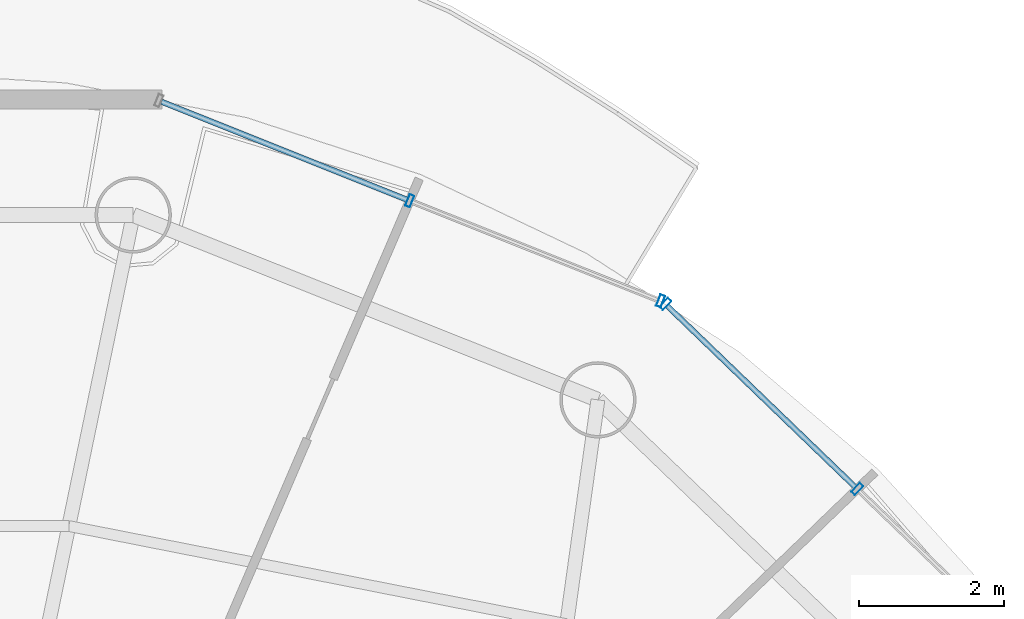
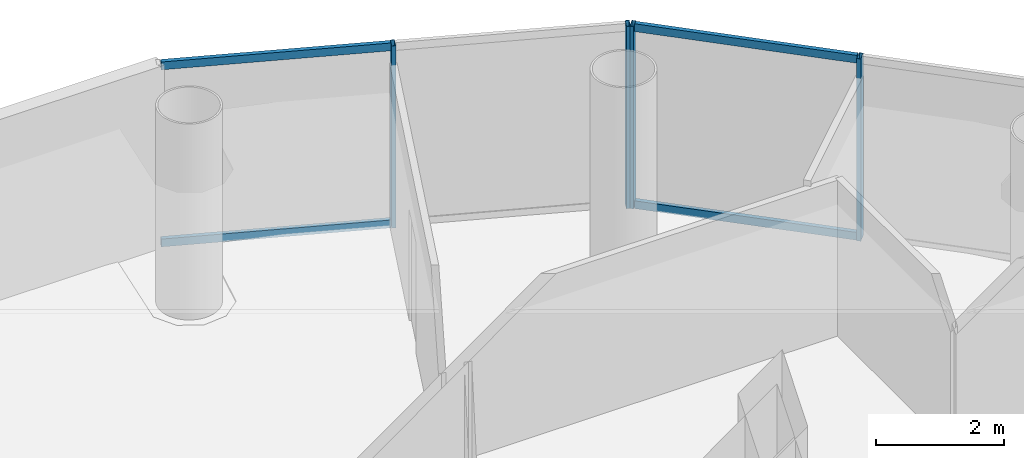
# One storey, part 15 of 23: 8 members, 2 elements without a shape of their own.
"""IFC4 building model written with IfcOpenShell, lengths in metres."""

from ifc_helpers import new_model, si_unit, direction, frame, origin, origin_2d, place, context, subcontext, project, spatial, hollow_rectangle, extrude, source, transform, mapped, material, material_profile, profile_set, type_object, element, aggregate, save


model = new_model("IFC4")

# Units and contexts
model_context = context("Model", 3, precision=1e-05, world=origin(), true_north=direction((-0.2419218956, 0.970295726276)))
body_context = subcontext(model_context, "Body", "Model", "MODEL_VIEW")
ifc_project = project(units=[si_unit("LENGTHUNIT", "METRE"), si_unit("AREAUNIT", "SQUARE_METRE"), si_unit("VOLUMEUNIT", "CUBIC_METRE"), si_unit("PLANEANGLEUNIT", "RADIAN"), si_unit("MASSUNIT", "GRAM", prefix="KILO")], contexts=[model_context])

# Site, building, storey
site_placement = place(None, origin())
site = spatial("IfcSite", under=ifc_project, at=site_placement, CompositionType="ELEMENT")
building_placement = place(site_placement, origin())
building = spatial("IfcBuilding", under=site, at=building_placement, Name="Cobrevalo Terracotta Tower", CompositionType="ELEMENT")
storey_placement = place(building_placement, frame((0.0, 0.0, 248.199951171875)))
storey = spatial("IfcBuildingStorey", under=building, at=storey_placement, Name="L65", CompositionType="ELEMENT", Elevation=248.199951171875)

# Curtain wall, members
ifc_material = material(Name="Anodized aluminium", Category="aluminium")
curtain_wall_type = type_object("IfcCurtainWallType", Name="Upper-tower triple-glazed penthouse curtain wall CW-U3", PredefinedType="NOTDEFINED", material=ifc_material)
curtain_wall_1_placement = place(storey_placement, origin())
curtain_wall_1 = element("IfcCurtainWall", 1, at=curtain_wall_1_placement, inside=storey, type_object=curtain_wall_type, Name="L65 curtain wall CW-L65-S02", PredefinedType="NOTDEFINED")
ifc_material_profile_1 = material_profile(ifc_material, hollow_rectangle(XDim=0.070068359375, YDim=0.169921875, WallThickness=0.00439453125, at=origin_2d()), Name="CWM 70x170")
ifc_profile_set_1 = profile_set([ifc_material_profile_1], Name="Anodized aluminium")
member_type_1 = type_object("IfcMemberType", Name="Upper tower unitised mullion 70x170", PredefinedType="MULLION", material=ifc_profile_set_1)
shared_shape_1 = source(origin(), body_context, "Body", "SweptSolid", [
    extrude(hollow_rectangle(XDim=0.070068359375, YDim=0.169921875, WallThickness=0.00439453125, at=origin_2d()), origin(), (0.0, 0.0, 1.0), 3.489990234375),
])
member_1_placement = place(storey_placement, frame((51.43359375, 39.748046875, 0.0), z_axis=(0.0, 0.0, 1.0), x_axis=(-0.71999418085, 0.69398010025, 0.0)))
member_1 = element("IfcMember", 2, at=member_1_placement, type_object=member_type_1, Name="CW-L65-S02 vertical mullion 02", PredefinedType="MULLION", context=body_context, shape_type="MappedRepresentation", body=[
    mapped(shared_shape_1, transform((0.0, 0.0, 0.0), scale=1.0)),
])
member_2_placement = place(storey_placement, frame((48.790283203125, 42.2958984375, 0.0), z_axis=(0.0, 0.0, 1.0), x_axis=(-0.71999418085, 0.69398010025, 0.0)))
member_2 = element("IfcMember", 3, at=member_2_placement, type_object=member_type_1, Name="CW-L65-S02 vertical mullion 03", PredefinedType="MULLION", context=body_context, shape_type="MappedRepresentation", body=[
    mapped(shared_shape_1, transform((0.0, 0.0, 0.0), scale=1.0)),
])

curtain_wall_2_placement = place(storey_placement, origin())
curtain_wall_2 = element("IfcCurtainWall", 4, at=curtain_wall_2_placement, inside=storey, type_object=curtain_wall_type, Name="L65 curtain wall CW-L65-S03", PredefinedType="NOTDEFINED")
member_3_placement = place(storey_placement, frame((48.724365234375, 42.33837890625, 0.0), z_axis=(0.0, 0.0, 1.0), x_axis=(-0.928718980883, 0.370784377433, 0.0)))
member_3 = element("IfcMember", 5, at=member_3_placement, type_object=member_type_1, Name="CW-L65-S03 vertical mullion 01", PredefinedType="MULLION", context=body_context, shape_type="MappedRepresentation", body=[
    mapped(shared_shape_1, transform((0.0, 0.0, 0.0), scale=1.0)),
])
member_4_placement = place(storey_placement, frame((45.270263671875, 43.71728515625, 0.0), z_axis=(0.0, 0.0, 1.0), x_axis=(-0.928718980883, 0.370784377433, 0.0)))
member_4 = element("IfcMember", 6, at=member_4_placement, type_object=member_type_1, Name="CW-L65-S03 vertical mullion 02", PredefinedType="MULLION", context=body_context, shape_type="MappedRepresentation", body=[
    mapped(shared_shape_1, transform((0.0, 0.0, 0.0), scale=1.0)),
])

# Member
ifc_material_profile_2 = material_profile(ifc_material, hollow_rectangle(XDim=0.074951171875, YDim=0.14990234375, WallThickness=0.00439453125, at=origin_2d()), Name="CWT 75x150")
ifc_profile_set_2 = profile_set([ifc_material_profile_2], Name="Anodized aluminium")
member_type_2 = type_object("IfcMemberType", Name="Tower unitised aluminium transom 75x150", PredefinedType="USERDEFINED", material=ifc_profile_set_2)
shared_shape_2 = source(origin(), body_context, "Body", "SweptSolid", [
    extrude(hollow_rectangle(XDim=0.074951171875, YDim=0.14990234375, WallThickness=0.00439453125, at=origin_2d()), origin(), (0.0, 0.0, 1.0), 3.59130859375),
])
member_5_placement = place(storey_placement, frame((51.40478515625, 39.77587890625, 0.050048828125), z_axis=(-0.720005628362, 0.693968223427, 0.0), x_axis=(-0.693968223427, -0.720005628362, 0.0)))
member_5 = element("IfcMember", 7, at=member_5_placement, type_object=member_type_2, Name="CW-L65-S02 transom B02-T1", ObjectType="TRANSOM", PredefinedType="USERDEFINED", context=body_context, shape_type="MappedRepresentation", body=[
    mapped(shared_shape_2, transform((0.0, 0.0, 0.0), scale=1.0)),
])

member_6_placement = place(storey_placement, frame((51.40478515625, 39.77587890625, 3.43994140625), z_axis=(-0.720005628362, 0.693968223427, 0.0), x_axis=(-0.693968223427, -0.720005628362, 0.0)))
member_6 = element("IfcMember", 8, at=member_6_placement, type_object=member_type_2, Name="CW-L65-S02 transom B02-T2", ObjectType="TRANSOM", PredefinedType="USERDEFINED", context=body_context, shape_type="MappedRepresentation", body=[
    mapped(shared_shape_2, transform((0.0, 0.0, 0.0), scale=1.0)),
])

aggregate(curtain_wall_1, [member_1, member_2, member_5, member_6])

shared_shape_3 = source(origin(), body_context, "Body", "SweptSolid", [
    extrude(hollow_rectangle(XDim=0.074951171875, YDim=0.14990234375, WallThickness=0.00439453125, at=origin_2d()), origin(), (0.0, 0.0, 1.0), 3.63916015625),
])
member_7_placement = place(storey_placement, frame((45.23291015625, 43.732177734375, 0.050048828125), z_axis=(-0.928712471544, 0.370800681227, 0.0), x_axis=(-0.370800681227, -0.928712471544, 0.0)))
member_7 = element("IfcMember", 9, at=member_7_placement, type_object=member_type_2, Name="CW-L65-S03 transom B02-T1", ObjectType="TRANSOM", PredefinedType="USERDEFINED", context=body_context, shape_type="MappedRepresentation", body=[
    mapped(shared_shape_3, transform((0.0, 0.0, 0.0), scale=1.0)),
])

member_8_placement = place(storey_placement, frame((45.23291015625, 43.732177734375, 3.43994140625), z_axis=(-0.928712471544, 0.370800681227, 0.0), x_axis=(-0.370800681227, -0.928712471544, 0.0)))
member_8 = element("IfcMember", 10, at=member_8_placement, type_object=member_type_2, Name="CW-L65-S03 transom B02-T2", ObjectType="TRANSOM", PredefinedType="USERDEFINED", context=body_context, shape_type="MappedRepresentation", body=[
    mapped(shared_shape_3, transform((0.0, 0.0, 0.0), scale=1.0)),
])

aggregate(curtain_wall_2, [member_3, member_4, member_7, member_8])

save(model, "model.ifc")
